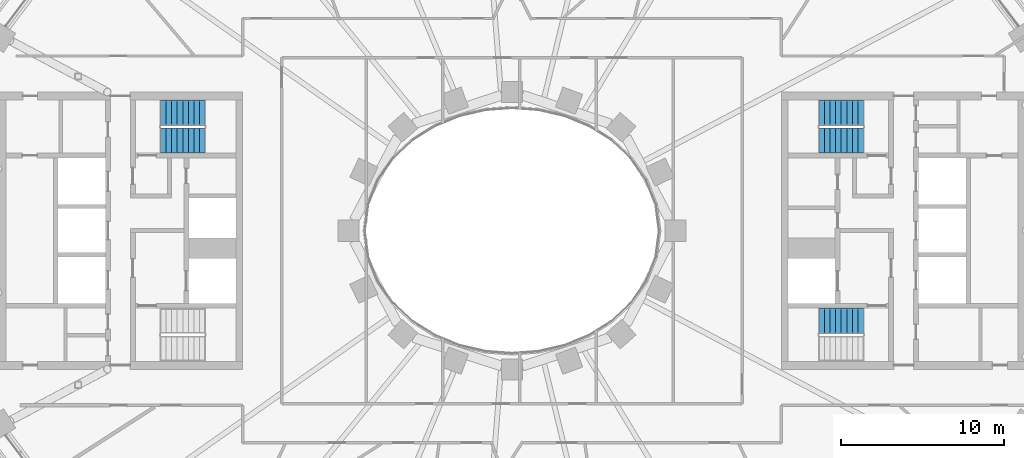
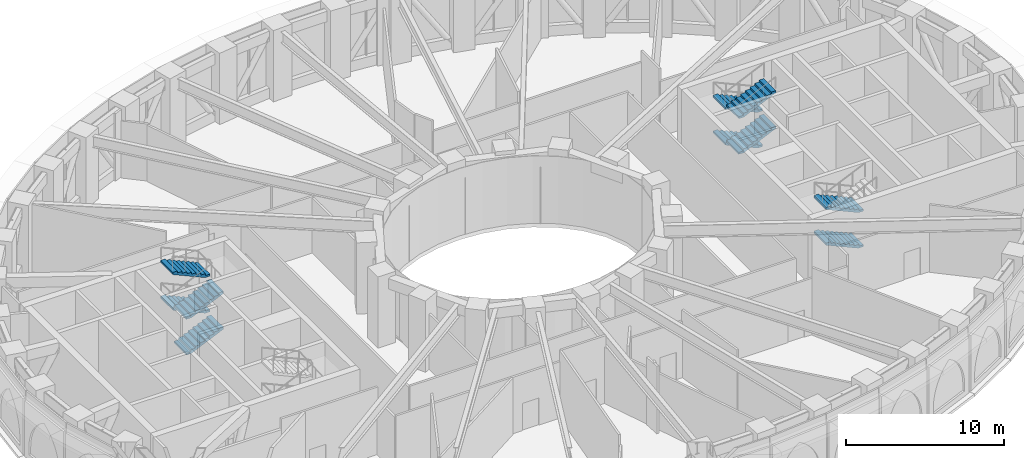
# One storey, part 10 of 25: 10 stair flights, 3 elements without a shape of their own.
"""IFC4 building model written with IfcOpenShell, lengths in metres."""

from ifc_helpers import new_model, si_unit, direction, frame, origin, place, context, subcontext, project, spatial, polyline, outline, extrude, material, type_object, element, aggregate, save


model = new_model("IFC4")

# Units and contexts
model_context = context("Model", 3, precision=1e-05, world=origin(), true_north=direction((0.0, 1.0)))
body_context = subcontext(model_context, "Body", "Model", "MODEL_VIEW")
ifc_project = project(units=[si_unit("LENGTHUNIT", "METRE"), si_unit("AREAUNIT", "SQUARE_METRE"), si_unit("VOLUMEUNIT", "CUBIC_METRE"), si_unit("PLANEANGLEUNIT", "RADIAN"), si_unit("MASSUNIT", "GRAM", prefix="KILO")], contexts=[model_context])

# Site, building, storey
site_placement = place(None, origin())
site = spatial("IfcSite", under=ifc_project, at=site_placement, CompositionType="ELEMENT")
building_placement = place(site_placement, origin())
building = spatial("IfcBuilding", under=site, at=building_placement, Name="Noorbagh Ring Tower", CompositionType="ELEMENT")
storey_placement = place(building_placement, frame((0.0, 0.0, 82.5)))
storey = spatial("IfcBuildingStorey", under=building, at=storey_placement, Name="L18", CompositionType="ELEMENT", Elevation=82.5)

# Stair, stair flights
ifc_material_1 = material(Name="Concrete C40/50", Category="concrete")
stair_type = type_object("IfcStairType", Name="CORE-STAIR", PredefinedType="HALF_TURN_STAIR", material=ifc_material_1)
stair_1_placement = place(storey_placement, origin())
stair_1 = element("IfcStair", 1, at=stair_1_placement, inside=storey, type_object=stair_type, Name="L18 Exit stair ST1", PredefinedType="HALF_TURN_STAIR")
ifc_material_2 = material(Name="Concrete C40/50", Category="concrete")
stair_flight_type = type_object("IfcStairFlightType", Name="CORE-STAIR-FLIGHT", PredefinedType="STRAIGHT", material=ifc_material_2)
stair_flight_1_placement = place(storey_placement, frame((-21.530029296875, 5.52490234375, 0.0), z_axis=(0.0, 0.0, 1.0), x_axis=(1.0, 0.0, 0.0)))
stair_flight_1 = element("IfcStairFlight", 2, at=stair_flight_1_placement, type_object=stair_flight_type, Name="ST1 flight 1", NumberOfRisers=9, NumberOfTreads=8, PredefinedType="STRAIGHT", RiserHeight=0.152777778, TreadLength=0.34, context=body_context, shape_type="SweptSolid", body=[
    extrude(outline(polyline([(0.0, 0.0), (0.0, 0.15283203125), (0.340087890625, 0.15283203125), (0.340087890625, 0.3056640625), (0.679931640625, 0.3056640625), (0.679931640625, 0.458251953125), (1.02001953125, 0.458251953125), (1.02001953125, 0.611083984375), (1.360107421875, 0.611083984375), (1.360107421875, 0.763916015625), (1.699951171875, 0.763916015625), (1.699951171875, 0.916748046875), (2.0400390625, 0.916748046875), (2.0400390625, 1.0693359375), (2.3798828125, 1.0693359375), (2.3798828125, 1.22216796875), (2.719970703125, 1.22216796875), (2.719970703125, 1.375), (2.719970703125, 1.057861328125), (0.36572265625, 0.0), (0.0, 0.0)])), frame((0.0, 0.77490234375, 0.0), z_axis=(0.0, -1.0, 0.0), x_axis=(1.0, 0.0, 0.0)), (0.0, 0.0, 1.0), 1.550048828125),
])
stair_flight_2_placement = place(storey_placement, frame((-18.81005859375, 7.22509765625, 1.375), z_axis=(0.0, 0.0, 1.0), x_axis=(-1.0, 0.0, 0.0)))
stair_flight_2 = element("IfcStairFlight", 3, at=stair_flight_2_placement, type_object=stair_flight_type, Name="ST1 flight 2", NumberOfRisers=9, NumberOfTreads=8, PredefinedType="STRAIGHT", RiserHeight=0.152777778, TreadLength=0.34, context=body_context, shape_type="SweptSolid", body=[
    extrude(outline(polyline([(0.0, 0.0), (0.0, 0.15283203125), (0.340087890625, 0.15283203125), (0.340087890625, 0.3056640625), (0.679931640625, 0.3056640625), (0.679931640625, 0.458251953125), (1.02001953125, 0.458251953125), (1.02001953125, 0.611083984375), (1.360107421875, 0.611083984375), (1.360107421875, 0.763916015625), (1.699951171875, 0.763916015625), (1.699951171875, 0.916748046875), (2.0400390625, 0.916748046875), (2.0400390625, 1.0693359375), (2.3798828125, 1.0693359375), (2.3798828125, 1.22216796875), (2.719970703125, 1.22216796875), (2.719970703125, 1.375), (2.719970703125, 1.057861328125), (0.36572265625, 0.0), (0.0, 0.0)])), frame((0.0, 0.77490234375, 0.0), z_axis=(0.0, -1.0, 0.0), x_axis=(1.0, 0.0, 0.0)), (0.0, 0.0, 1.0), 1.550048828125),
])
stair_flight_3_placement = place(storey_placement, frame((-21.530029296875, 5.52490234375, 2.75), z_axis=(0.0, 0.0, 1.0), x_axis=(1.0, 0.0, 0.0)))
stair_flight_3 = element("IfcStairFlight", 4, at=stair_flight_3_placement, type_object=stair_flight_type, Name="ST1 flight 3", NumberOfRisers=9, NumberOfTreads=8, PredefinedType="STRAIGHT", RiserHeight=0.152777778, TreadLength=0.34, context=body_context, shape_type="SweptSolid", body=[
    extrude(outline(polyline([(0.0, 0.0), (0.0, 0.15283203125), (0.340087890625, 0.15283203125), (0.340087890625, 0.3056640625), (0.679931640625, 0.3056640625), (0.679931640625, 0.458251953125), (1.02001953125, 0.458251953125), (1.02001953125, 0.611083984375), (1.360107421875, 0.611083984375), (1.360107421875, 0.763916015625), (1.699951171875, 0.763916015625), (1.699951171875, 0.916748046875), (2.0400390625, 0.916748046875), (2.0400390625, 1.0693359375), (2.3798828125, 1.0693359375), (2.3798828125, 1.22216796875), (2.719970703125, 1.22216796875), (2.719970703125, 1.375), (2.719970703125, 1.057861328125), (0.36572265625, 0.0), (0.0, 0.0)])), frame((0.0, 0.77490234375, 0.0), z_axis=(0.0, -1.0, 0.0), x_axis=(1.0, 0.0, 0.0)), (0.0, 0.0, 1.0), 1.550048828125),
])
stair_flight_4_placement = place(storey_placement, frame((-18.81005859375, 7.22509765625, 4.125), z_axis=(0.0, 0.0, 1.0), x_axis=(-1.0, 0.0, 0.0)))
stair_flight_4 = element("IfcStairFlight", 5, at=stair_flight_4_placement, type_object=stair_flight_type, Name="ST1 flight 4", NumberOfRisers=9, NumberOfTreads=8, PredefinedType="STRAIGHT", RiserHeight=0.152777778, TreadLength=0.34, context=body_context, shape_type="SweptSolid", body=[
    extrude(outline(polyline([(0.0, 0.0), (0.0, 0.15283203125), (0.340087890625, 0.15283203125), (0.340087890625, 0.3056640625), (0.679931640625, 0.3056640625), (0.679931640625, 0.458251953125), (1.02001953125, 0.458251953125), (1.02001953125, 0.611083984375), (1.360107421875, 0.611083984375), (1.360107421875, 0.763916015625), (1.699951171875, 0.763916015625), (1.699951171875, 0.916748046875), (2.0400390625, 0.916748046875), (2.0400390625, 1.0693359375), (2.3798828125, 1.0693359375), (2.3798828125, 1.22216796875), (2.719970703125, 1.22216796875), (2.719970703125, 1.375), (2.719970703125, 1.057861328125), (0.36572265625, 0.0), (0.0, 0.0)])), frame((0.0, 0.77490234375, 0.0), z_axis=(0.0, -1.0, 0.0), x_axis=(1.0, 0.0, 0.0)), (0.0, 0.0, 1.0), 1.550048828125),
])
aggregate(stair_1, [stair_flight_1, stair_flight_2, stair_flight_3, stair_flight_4])

stair_2_placement = place(storey_placement, origin())
stair_2 = element("IfcStair", 6, at=stair_2_placement, inside=storey, type_object=stair_type, Name="L18 Exit stair ST3", PredefinedType="HALF_TURN_STAIR")
stair_flight_5_placement = place(storey_placement, frame((21.530029296875, 7.22509765625, 0.0), z_axis=(0.0, 0.0, 1.0), x_axis=(-1.0, 0.0, 0.0)))
stair_flight_5 = element("IfcStairFlight", 7, at=stair_flight_5_placement, type_object=stair_flight_type, Name="ST3 flight 1", NumberOfRisers=9, NumberOfTreads=8, PredefinedType="STRAIGHT", RiserHeight=0.152777778, TreadLength=0.34, context=body_context, shape_type="SweptSolid", body=[
    extrude(outline(polyline([(0.0, 0.0), (0.0, 0.15283203125), (0.340087890625, 0.15283203125), (0.340087890625, 0.3056640625), (0.679931640625, 0.3056640625), (0.679931640625, 0.458251953125), (1.02001953125, 0.458251953125), (1.02001953125, 0.611083984375), (1.360107421875, 0.611083984375), (1.360107421875, 0.763916015625), (1.699951171875, 0.763916015625), (1.699951171875, 0.916748046875), (2.0400390625, 0.916748046875), (2.0400390625, 1.0693359375), (2.3798828125, 1.0693359375), (2.3798828125, 1.22216796875), (2.719970703125, 1.22216796875), (2.719970703125, 1.375), (2.719970703125, 1.057861328125), (0.36572265625, 0.0), (0.0, 0.0)])), frame((0.0, 0.77490234375, 0.0), z_axis=(0.0, -1.0, 0.0), x_axis=(1.0, 0.0, 0.0)), (0.0, 0.0, 1.0), 1.550048828125),
])
stair_flight_6_placement = place(storey_placement, frame((18.81005859375, 5.52490234375, 1.375), z_axis=(0.0, 0.0, 1.0), x_axis=(1.0, 0.0, 0.0)))
stair_flight_6 = element("IfcStairFlight", 8, at=stair_flight_6_placement, type_object=stair_flight_type, Name="ST3 flight 2", NumberOfRisers=9, NumberOfTreads=8, PredefinedType="STRAIGHT", RiserHeight=0.152777778, TreadLength=0.34, context=body_context, shape_type="SweptSolid", body=[
    extrude(outline(polyline([(0.0, 0.0), (0.0, 0.15283203125), (0.340087890625, 0.15283203125), (0.340087890625, 0.3056640625), (0.679931640625, 0.3056640625), (0.679931640625, 0.458251953125), (1.02001953125, 0.458251953125), (1.02001953125, 0.611083984375), (1.360107421875, 0.611083984375), (1.360107421875, 0.763916015625), (1.699951171875, 0.763916015625), (1.699951171875, 0.916748046875), (2.0400390625, 0.916748046875), (2.0400390625, 1.0693359375), (2.3798828125, 1.0693359375), (2.3798828125, 1.22216796875), (2.719970703125, 1.22216796875), (2.719970703125, 1.375), (2.719970703125, 1.057861328125), (0.36572265625, 0.0), (0.0, 0.0)])), frame((0.0, 0.77490234375, 0.0), z_axis=(0.0, -1.0, 0.0), x_axis=(1.0, 0.0, 0.0)), (0.0, 0.0, 1.0), 1.550048828125),
])
stair_flight_7_placement = place(storey_placement, frame((21.530029296875, 7.22509765625, 2.75), z_axis=(0.0, 0.0, 1.0), x_axis=(-1.0, 0.0, 0.0)))
stair_flight_7 = element("IfcStairFlight", 9, at=stair_flight_7_placement, type_object=stair_flight_type, Name="ST3 flight 3", NumberOfRisers=9, NumberOfTreads=8, PredefinedType="STRAIGHT", RiserHeight=0.152777778, TreadLength=0.34, context=body_context, shape_type="SweptSolid", body=[
    extrude(outline(polyline([(0.0, 0.0), (0.0, 0.15283203125), (0.340087890625, 0.15283203125), (0.340087890625, 0.3056640625), (0.679931640625, 0.3056640625), (0.679931640625, 0.458251953125), (1.02001953125, 0.458251953125), (1.02001953125, 0.611083984375), (1.360107421875, 0.611083984375), (1.360107421875, 0.763916015625), (1.699951171875, 0.763916015625), (1.699951171875, 0.916748046875), (2.0400390625, 0.916748046875), (2.0400390625, 1.0693359375), (2.3798828125, 1.0693359375), (2.3798828125, 1.22216796875), (2.719970703125, 1.22216796875), (2.719970703125, 1.375), (2.719970703125, 1.057861328125), (0.36572265625, 0.0), (0.0, 0.0)])), frame((0.0, 0.77490234375, 0.0), z_axis=(0.0, -1.0, 0.0), x_axis=(1.0, 0.0, 0.0)), (0.0, 0.0, 1.0), 1.550048828125),
])
stair_flight_8_placement = place(storey_placement, frame((18.81005859375, 5.52490234375, 4.125), z_axis=(0.0, 0.0, 1.0), x_axis=(1.0, 0.0, 0.0)))
stair_flight_8 = element("IfcStairFlight", 10, at=stair_flight_8_placement, type_object=stair_flight_type, Name="ST3 flight 4", NumberOfRisers=9, NumberOfTreads=8, PredefinedType="STRAIGHT", RiserHeight=0.152777778, TreadLength=0.34, context=body_context, shape_type="SweptSolid", body=[
    extrude(outline(polyline([(0.0, 0.0), (0.0, 0.15283203125), (0.340087890625, 0.15283203125), (0.340087890625, 0.3056640625), (0.679931640625, 0.3056640625), (0.679931640625, 0.458251953125), (1.02001953125, 0.458251953125), (1.02001953125, 0.611083984375), (1.360107421875, 0.611083984375), (1.360107421875, 0.763916015625), (1.699951171875, 0.763916015625), (1.699951171875, 0.916748046875), (2.0400390625, 0.916748046875), (2.0400390625, 1.0693359375), (2.3798828125, 1.0693359375), (2.3798828125, 1.22216796875), (2.719970703125, 1.22216796875), (2.719970703125, 1.375), (2.719970703125, 1.057861328125), (0.36572265625, 0.0), (0.0, 0.0)])), frame((0.0, 0.77490234375, 0.0), z_axis=(0.0, -1.0, 0.0), x_axis=(1.0, 0.0, 0.0)), (0.0, 0.0, 1.0), 1.550048828125),
])
aggregate(stair_2, [stair_flight_5, stair_flight_6, stair_flight_7, stair_flight_8])

stair_3_placement = place(storey_placement, origin())
stair_3 = element("IfcStair", 11, at=stair_3_placement, inside=storey, type_object=stair_type, Name="L18 Exit stair ST4", PredefinedType="HALF_TURN_STAIR")
stair_flight_9_placement = place(storey_placement, frame((21.530029296875, -5.52490234375, 0.0), z_axis=(0.0, 0.0, 1.0), x_axis=(-1.0, 0.0, 0.0)))
stair_flight_9 = element("IfcStairFlight", 12, at=stair_flight_9_placement, type_object=stair_flight_type, Name="ST4 flight 1", NumberOfRisers=9, NumberOfTreads=8, PredefinedType="STRAIGHT", RiserHeight=0.152777778, TreadLength=0.34, context=body_context, shape_type="SweptSolid", body=[
    extrude(outline(polyline([(0.0, 0.0), (0.0, 0.15283203125), (0.340087890625, 0.15283203125), (0.340087890625, 0.3056640625), (0.679931640625, 0.3056640625), (0.679931640625, 0.458251953125), (1.02001953125, 0.458251953125), (1.02001953125, 0.611083984375), (1.360107421875, 0.611083984375), (1.360107421875, 0.763916015625), (1.699951171875, 0.763916015625), (1.699951171875, 0.916748046875), (2.0400390625, 0.916748046875), (2.0400390625, 1.0693359375), (2.3798828125, 1.0693359375), (2.3798828125, 1.22216796875), (2.719970703125, 1.22216796875), (2.719970703125, 1.375), (2.719970703125, 1.057861328125), (0.36572265625, 0.0), (0.0, 0.0)])), frame((0.0, 0.77490234375, 0.0), z_axis=(0.0, -1.0, 0.0), x_axis=(1.0, 0.0, 0.0)), (0.0, 0.0, 1.0), 1.550048828125),
])
stair_flight_10_placement = place(storey_placement, frame((21.530029296875, -5.52490234375, 2.75), z_axis=(0.0, 0.0, 1.0), x_axis=(-1.0, 0.0, 0.0)))
stair_flight_10 = element("IfcStairFlight", 13, at=stair_flight_10_placement, type_object=stair_flight_type, Name="ST4 flight 3", NumberOfRisers=9, NumberOfTreads=8, PredefinedType="STRAIGHT", RiserHeight=0.152777778, TreadLength=0.34, context=body_context, shape_type="SweptSolid", body=[
    extrude(outline(polyline([(0.0, 0.0), (0.0, 0.15283203125), (0.340087890625, 0.15283203125), (0.340087890625, 0.3056640625), (0.679931640625, 0.3056640625), (0.679931640625, 0.458251953125), (1.02001953125, 0.458251953125), (1.02001953125, 0.611083984375), (1.360107421875, 0.611083984375), (1.360107421875, 0.763916015625), (1.699951171875, 0.763916015625), (1.699951171875, 0.916748046875), (2.0400390625, 0.916748046875), (2.0400390625, 1.0693359375), (2.3798828125, 1.0693359375), (2.3798828125, 1.22216796875), (2.719970703125, 1.22216796875), (2.719970703125, 1.375), (2.719970703125, 1.057861328125), (0.36572265625, 0.0), (0.0, 0.0)])), frame((0.0, 0.77490234375, 0.0), z_axis=(0.0, -1.0, 0.0), x_axis=(1.0, 0.0, 0.0)), (0.0, 0.0, 1.0), 1.550048828125),
])
aggregate(stair_3, [stair_flight_9, stair_flight_10])

save(model, "model.ifc")
